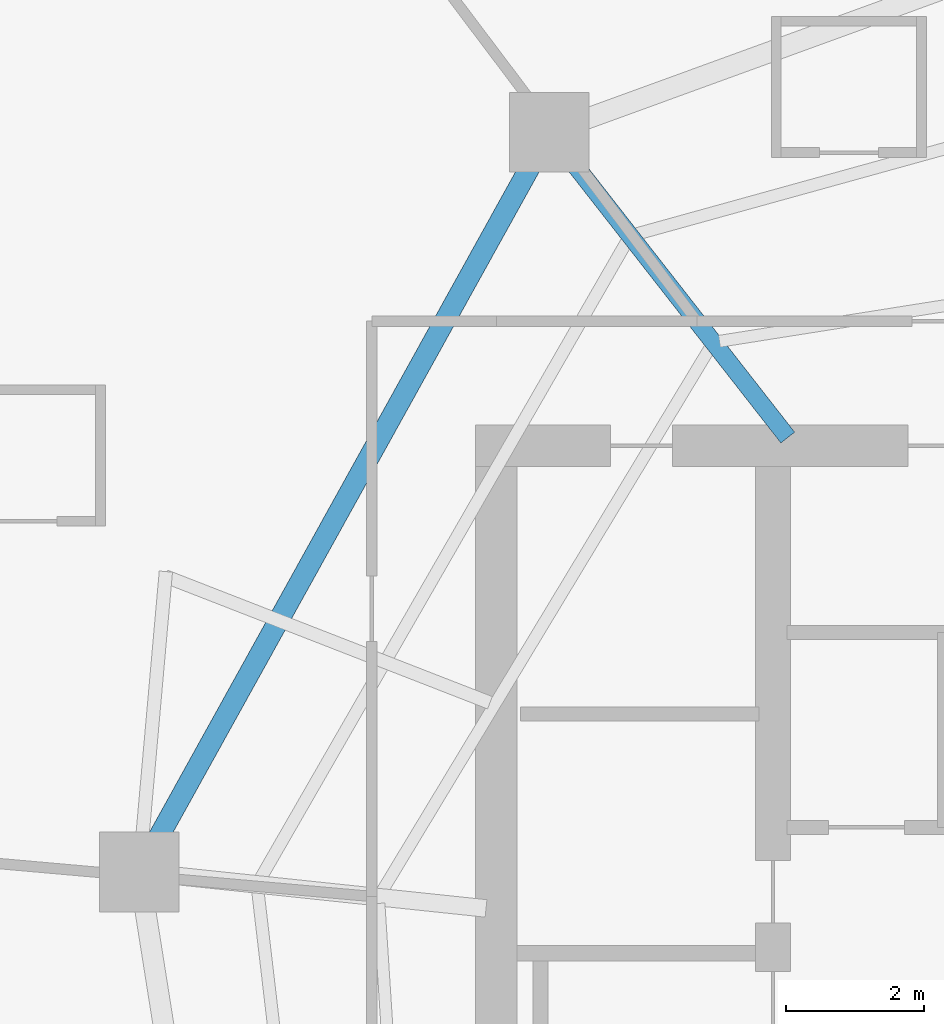
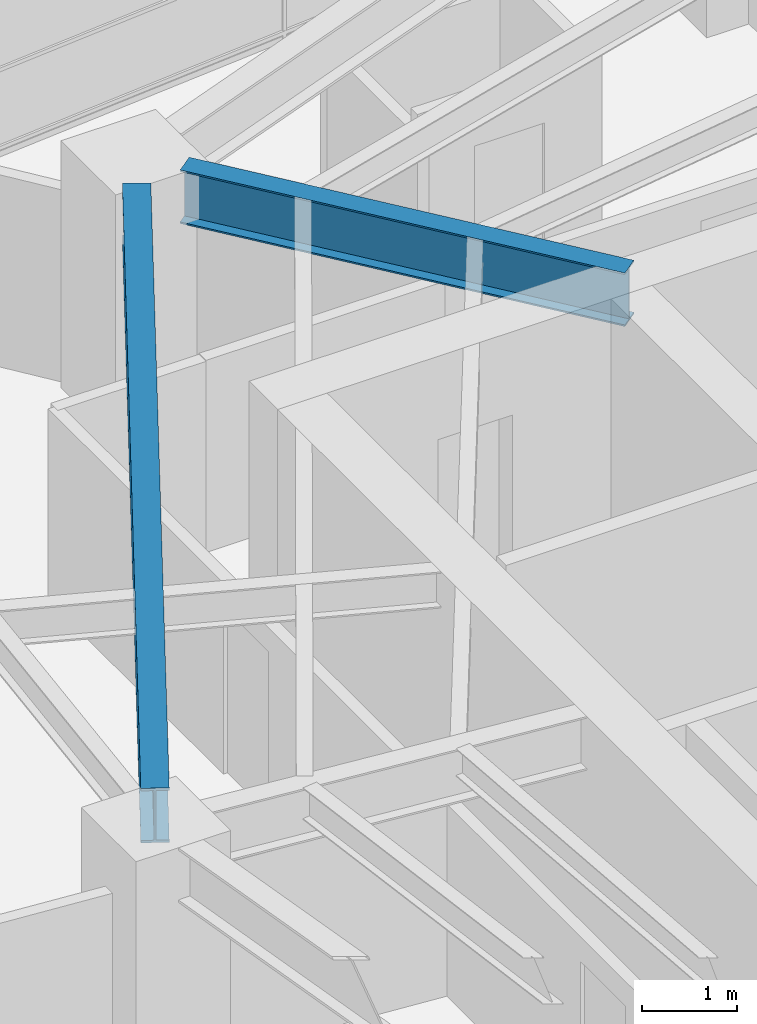
# One storey, part 15 of 30: 2 beams.
"""IFC4 building model written with IfcOpenShell, lengths in metres."""

from ifc_helpers import new_model, si_unit, direction, frame, origin, origin_2d, place, context, subcontext, project, spatial, i_section, extrude, material, material_profile, profile_set, type_object, element, save


model = new_model("IFC4")

# Units and contexts
model_context = context("Model", 3, precision=1e-05, world=origin(), true_north=direction((0.0, 1.0)))
body_context = subcontext(model_context, "Body", "Model", "MODEL_VIEW")
ifc_project = project(units=[si_unit("LENGTHUNIT", "METRE"), si_unit("AREAUNIT", "SQUARE_METRE"), si_unit("VOLUMEUNIT", "CUBIC_METRE"), si_unit("PLANEANGLEUNIT", "RADIAN"), si_unit("MASSUNIT", "GRAM", prefix="KILO")], contexts=[model_context])

# Site, building, storey
site_placement = place(None, origin())
site = spatial("IfcSite", under=ifc_project, at=site_placement, CompositionType="ELEMENT")
building_placement = place(site_placement, origin())
building = spatial("IfcBuilding", under=site, at=building_placement, Name="Qarnah Convention Tower", CompositionType="ELEMENT")
storey_placement = place(building_placement, frame((0.0, 0.0, 86.699951171875)))
storey = spatial("IfcBuildingStorey", under=building, at=storey_placement, Name="L22", CompositionType="ELEMENT", Elevation=86.699951171875)

# Beams
ifc_material = material(Name="Structural steel S355JR", Category="steel")
ifc_material_profile_1 = material_profile(ifc_material, i_section(OverallWidth=0.25390625, OverallDepth=0.68798828125, WebThickness=0.012939453125, FlangeThickness=0.02099609375, at=origin_2d()), Name="W690X152")
ifc_profile_set_1 = profile_set([ifc_material_profile_1], Name="Structural steel S355JR")
beam_type_1 = type_object("IfcBeamType", Name="BM-RAD-W690", PredefinedType="BEAM", material=ifc_profile_set_1)
beam_1_placement = place(storey_placement, frame((31.013916015625, 34.318115234375, 2.825927734375), z_axis=(-0.61565061353, 0.788019239651, 0.0), x_axis=(-0.788019239651, -0.61565061353, 0.0)))
element("IfcBeam", 1, at=beam_1_placement, inside=storey, type_object=beam_type_1, Name="L22 beam BM-L22-RAD-04", PredefinedType="BEAM", context=body_context, shape_type="SweptSolid", body=[
    extrude(i_section(OverallWidth=0.25390625, OverallDepth=0.68798828125, WebThickness=0.012939453125, FlangeThickness=0.02099609375, at=origin_2d()), origin(), (0.0, 0.0, 1.0), 5.046630859375),
])
ifc_material_profile_2 = material_profile(ifc_material, i_section(OverallWidth=0.300048828125, OverallDepth=0.699951171875, WebThickness=0.01708984375, FlangeThickness=0.031982421875, at=origin_2d()), Name="HEB700")
ifc_profile_set_2 = profile_set([ifc_material_profile_2], Name="Structural steel S355JR")
beam_type_2 = type_object("IfcBeamType", Name="BM-RING-HEB700", PredefinedType="BEAM", material=ifc_profile_set_2)
beam_2_placement = place(storey_placement, frame((27.291015625, 38.238037109375, 2.820068359375), z_axis=(-0.484800448222, -0.874624791212, 0.0), x_axis=(0.874624791212, -0.484800448222, 0.0)))
element("IfcBeam", 2, at=beam_2_placement, inside=storey, type_object=beam_type_2, Name="L22 beam BM-L22-SPN-04", PredefinedType="BEAM", context=body_context, shape_type="SweptSolid", body=[
    extrude(i_section(OverallWidth=0.300048828125, OverallDepth=0.699951171875, WebThickness=0.01708984375, FlangeThickness=0.031982421875, at=origin_2d()), origin(), (0.0, 0.0, 1.0), 11.099609375),
])

save(model, "model.ifc")
